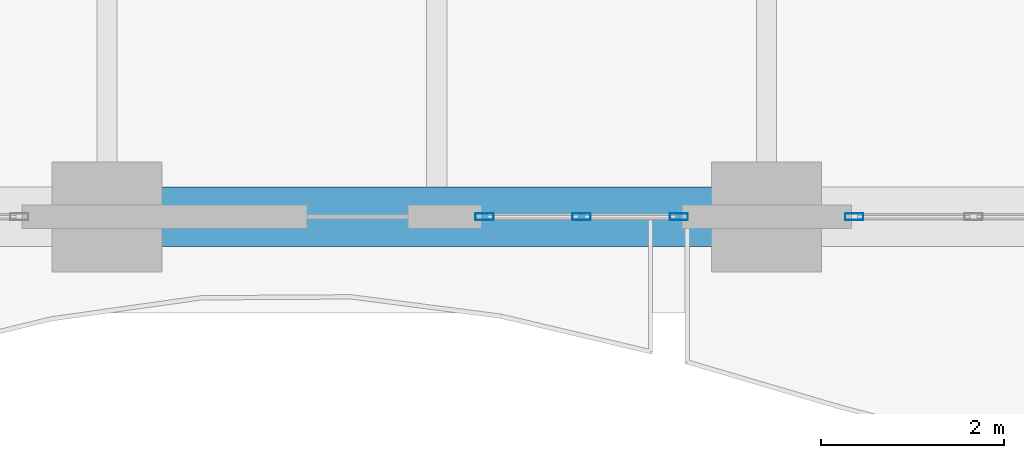
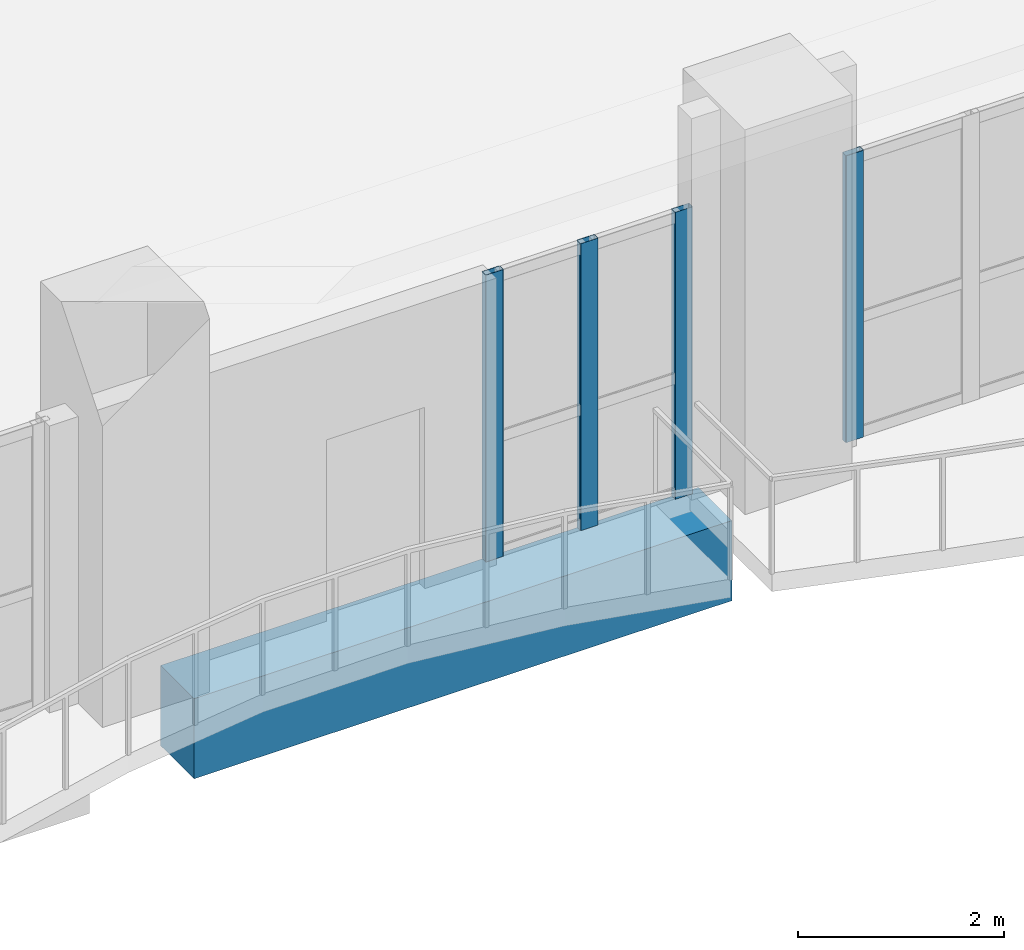
# One storey, part 5 of 37: 4 members, 1 beam, 2 elements without a shape of their own.
"""IFC4 building model written with IfcOpenShell, lengths in metres."""

from ifc_helpers import new_model, si_unit, direction, frame, origin, origin_2d, place, context, subcontext, project, spatial, rectangle, hollow_rectangle, extrude, material, layer, layer_set, material_profile, profile_set, type_object, element, aggregate, save


model = new_model("IFC4")

# Units and contexts
model_context = context("Model", 3, precision=1e-05, world=origin(), true_north=direction((0.0, 1.0)))
body_context = subcontext(model_context, "Body", "Model", "MODEL_VIEW")
ifc_project = project(units=[si_unit("LENGTHUNIT", "METRE"), si_unit("AREAUNIT", "SQUARE_METRE"), si_unit("VOLUMEUNIT", "CUBIC_METRE"), si_unit("PLANEANGLEUNIT", "RADIAN"), si_unit("MASSUNIT", "GRAM", prefix="KILO")], contexts=[model_context])

# Site, building, storey
site_placement = place(None, origin())
site = spatial("IfcSite", under=ifc_project, at=site_placement, CompositionType="ELEMENT")
building_placement = place(site_placement, origin())
building = spatial("IfcBuilding", under=site, at=building_placement, Name="Kaelvorn Grand Hotel", CompositionType="ELEMENT")
storey_placement = place(building_placement, frame((0.0, 0.0, 130.550048828125)))
storey = spatial("IfcBuildingStorey", under=building, at=storey_placement, Name="L31", CompositionType="ELEMENT", Elevation=130.550048828125)

# Beam
ifc_material_1 = material(Name="Concrete C60/75", Category="concrete")
ifc_material_profile_1 = material_profile(ifc_material_1, rectangle(XDim=0.64990234375, YDim=0.949951171875, at=origin_2d()), Name="RC SPANDREL 650x950")
ifc_profile_set_1 = profile_set([ifc_material_profile_1], Name="Concrete C60/75")
beam_type = type_object("IfcBeamType", Name="BM-SP-650x950-C60", PredefinedType="SPANDREL", material=ifc_profile_set_1)
beam_placement = place(storey_placement, frame((23.985107421875, 0.0, -0.715087890625), z_axis=(1.0, 0.0, 0.0), x_axis=(0.0, 1.0, 0.0)))
element("IfcBeam", 1, at=beam_placement, inside=storey, type_object=beam_type, Name="L31 South Perimeter Spandrel 04", PredefinedType="SPANDREL", context=body_context, shape_type="SweptSolid", body=[
    extrude(rectangle(XDim=0.64990234375, YDim=0.949951171875, at=origin_2d()), origin(), (0.0, 0.0, 1.0), 6.02978515625),
])

# Curtain wall, members
ifc_material_2 = material(Name="Anodised Aluminium", Category="aluminium")
ifc_layer = layer(ifc_material_2, 0.199951171875)
ifc_layer_set = layer_set([ifc_layer], Name="Anodised Aluminium")
curtain_wall_type = type_object("IfcCurtainWallType", Name="CW-SYS3", PredefinedType="NOTDEFINED", material=ifc_layer_set)
curtain_wall_1_placement = place(storey_placement, origin())
curtain_wall_1 = element("IfcCurtainWall", 2, at=curtain_wall_1_placement, inside=storey, type_object=curtain_wall_type, Name="L31 Unitised Curtain Wall CW3 (CW-L31-SB2-01)", PredefinedType="NOTDEFINED")
ifc_material_profile_2 = material_profile(ifc_material_2, hollow_rectangle(XDim=0.074951171875, YDim=0.199951171875, WallThickness=0.00390625, InnerFilletRadius=0.00390625, OuterFilletRadius=0.008056640625, at=origin_2d()), Name="ALU MULL 75x200")
ifc_profile_set_2 = profile_set([ifc_material_profile_2], Name="Anodised Aluminium")
member_type = type_object("IfcMemberType", Name="CW-SYS3-MULL", PredefinedType="MULLION", material=ifc_profile_set_2)
member_1_placement = place(storey_placement, frame((27.520751953125, 0.0, 0.0), z_axis=(0.0, 0.0, 1.0), x_axis=(0.0, 1.0, 0.0)))
member_1 = element("IfcMember", 3, at=member_1_placement, type_object=member_type, Name="CW3 mullion 1", PredefinedType="MULLION", context=body_context, shape_type="SweptSolid", body=[
    extrude(hollow_rectangle(XDim=0.074951171875, YDim=0.199951171875, WallThickness=0.00390625, InnerFilletRadius=0.00390625, OuterFilletRadius=0.008056640625, at=origin_2d()), origin(), (0.0, 0.0, 1.0), 3.39990234375),
])
member_2_placement = place(storey_placement, frame((28.58154296875, 0.0, 0.0), z_axis=(0.0, 0.0, 1.0), x_axis=(0.0, 1.0, 0.0)))
member_2 = element("IfcMember", 4, at=member_2_placement, type_object=member_type, Name="CW3 mullion 2", PredefinedType="MULLION", context=body_context, shape_type="SweptSolid", body=[
    extrude(hollow_rectangle(XDim=0.074951171875, YDim=0.199951171875, WallThickness=0.00390625, InnerFilletRadius=0.00390625, OuterFilletRadius=0.008056640625, at=origin_2d()), origin(), (0.0, 0.0, 1.0), 3.39990234375),
])
member_3_placement = place(storey_placement, frame((29.642578125, 0.0, 0.0), z_axis=(0.0, 0.0, 1.0), x_axis=(0.0, 1.0, 0.0)))
member_3 = element("IfcMember", 5, at=member_3_placement, type_object=member_type, Name="CW3 mullion 3", PredefinedType="MULLION", context=body_context, shape_type="SweptSolid", body=[
    extrude(hollow_rectangle(XDim=0.074951171875, YDim=0.199951171875, WallThickness=0.00390625, InnerFilletRadius=0.00390625, OuterFilletRadius=0.008056640625, at=origin_2d()), origin(), (0.0, 0.0, 1.0), 3.39990234375),
])
aggregate(curtain_wall_1, [member_1, member_2, member_3])

# Curtain wall, member
curtain_wall_2_placement = place(storey_placement, origin())
curtain_wall_2 = element("IfcCurtainWall", 6, at=curtain_wall_2_placement, inside=storey, type_object=curtain_wall_type, Name="L31 Unitised Curtain Wall CW3 (CW-L31-SB2-02)", PredefinedType="NOTDEFINED")
member_4_placement = place(storey_placement, frame((31.5576171875, 0.0, 0.0), z_axis=(0.0, 0.0, 1.0), x_axis=(0.0, 1.0, 0.0)))
member_4 = element("IfcMember", 7, at=member_4_placement, type_object=member_type, Name="CW3 mullion 1", PredefinedType="MULLION", context=body_context, shape_type="SweptSolid", body=[
    extrude(hollow_rectangle(XDim=0.074951171875, YDim=0.199951171875, WallThickness=0.00390625, InnerFilletRadius=0.00390625, OuterFilletRadius=0.008056640625, at=origin_2d()), origin(), (0.0, 0.0, 1.0), 3.39990234375),
])
aggregate(curtain_wall_2, [member_4])

save(model, "model.ifc")
